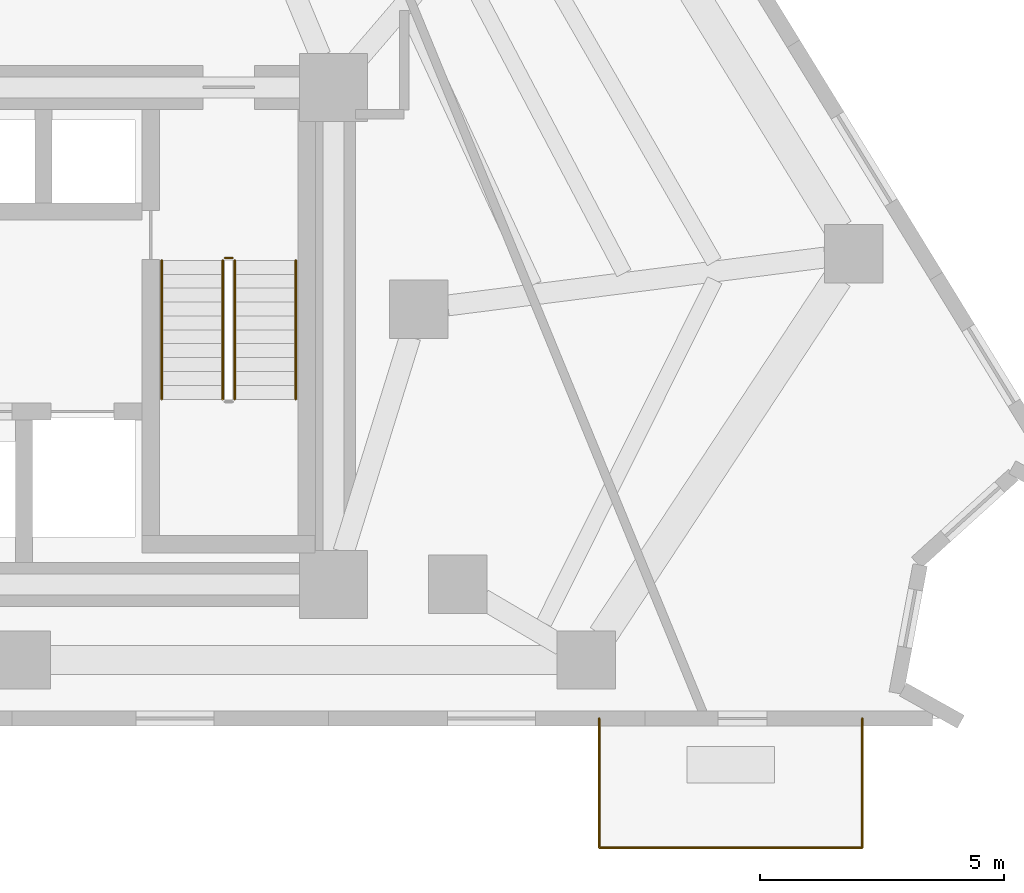
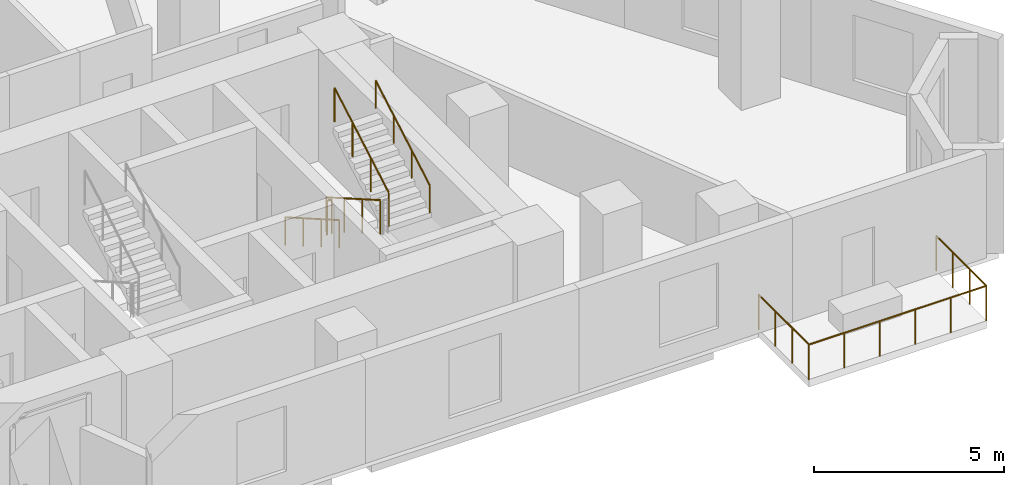
# One storey, part 12 of 13: 6 railings.
"""IFC4 building model written with IfcOpenShell, lengths in metres."""

from ifc_helpers import new_model, si_unit, direction, frame, origin, origin_2d, place, context, subcontext, project, spatial, circle, extrude, material, type_object, element, save


model = new_model("IFC4")

# Units and contexts
model_context = context("Model", 3, precision=1e-05, world=origin(), true_north=direction((0.0, 1.0)))
body_context = subcontext(model_context, "Body", "Model", "MODEL_VIEW")
ifc_project = project(units=[si_unit("LENGTHUNIT", "METRE"), si_unit("AREAUNIT", "SQUARE_METRE"), si_unit("VOLUMEUNIT", "CUBIC_METRE"), si_unit("PLANEANGLEUNIT", "RADIAN"), si_unit("MASSUNIT", "GRAM", prefix="KILO")], contexts=[model_context])

# Site, building, storey
site_placement = place(None, origin())
site = spatial("IfcSite", under=ifc_project, at=site_placement, CompositionType="ELEMENT")
building_placement = place(site_placement, origin())
building = spatial("IfcBuilding", under=site, at=building_placement, Name="Almagre Mirador Tower", CompositionType="ELEMENT")
storey_placement = place(building_placement, frame((0.0, 0.0, 85.800048828125)))
storey = spatial("IfcBuildingStorey", under=building, at=storey_placement, Name="L21", CompositionType="ELEMENT", Elevation=85.800048828125)

# Railings
ifc_material_1 = material(Name="Black anodized aluminium", Category="aluminium")
railing_type_1 = type_object("IfcRailingType", Name="RLG-BAL-1150", PredefinedType="BALUSTRADE", material=ifc_material_1)
railing_1_placement = place(storey_placement, frame((52.5, 1.800048828125, 0.0)))
element("IfcRailing", 1, at=railing_1_placement, inside=storey, type_object=railing_type_1, Name="L21 south balcony balustrade 1", PredefinedType="BALUSTRADE", context=body_context, shape_type="SweptSolid", body=[
    extrude(circle(Radius=0.02392578125, at=origin_2d()), frame((0.0, 0.0, 1.1259765625), z_axis=(0.0, -1.0, 0.0), x_axis=(1.0, 0.0, 0.0)), (0.0, 0.0, 1.0), 2.650146484375),
    extrude(circle(Radius=0.02392578125, at=origin_2d()), frame((0.0, -2.650146484375, 1.1259765625), z_axis=(1.0, 0.0, 0.0), x_axis=(0.0, 1.0, 0.0)), (0.0, 0.0, 1.0), 5.39990234375),
    extrude(circle(Radius=0.02392578125, at=origin_2d()), frame((5.39990234375, -2.650146484375, 1.1259765625), z_axis=(0.0, 1.0, 0.0), x_axis=(-1.0, 0.0, 0.0)), (0.0, 0.0, 1.0), 2.650146484375),
    extrude(circle(Radius=0.02099609375, at=origin_2d()), origin(), (0.0, 0.0, 1.0), 1.101806640625),
    extrude(circle(Radius=0.02099609375, at=origin_2d()), frame((0.0, -0.88330078125, 0.0)), (0.0, 0.0, 1.0), 1.101806640625),
    extrude(circle(Radius=0.02099609375, at=origin_2d()), frame((0.0, -1.766845703125, 0.0)), (0.0, 0.0, 1.0), 1.101806640625),
    extrude(circle(Radius=0.02099609375, at=origin_2d()), frame((0.0, -2.650146484375, 0.0)), (0.0, 0.0, 1.0), 1.101806640625),
    extrude(circle(Radius=0.02099609375, at=origin_2d()), frame((1.080078125, -2.650146484375, 0.0)), (0.0, 0.0, 1.0), 1.101806640625),
    extrude(circle(Radius=0.02099609375, at=origin_2d()), frame((2.159912109375, -2.650146484375, 0.0)), (0.0, 0.0, 1.0), 1.101806640625),
    extrude(circle(Radius=0.02099609375, at=origin_2d()), frame((3.239990234375, -2.650146484375, 0.0)), (0.0, 0.0, 1.0), 1.101806640625),
    extrude(circle(Radius=0.02099609375, at=origin_2d()), frame((4.31982421875, -2.650146484375, 0.0)), (0.0, 0.0, 1.0), 1.101806640625),
    extrude(circle(Radius=0.02099609375, at=origin_2d()), frame((5.39990234375, -2.650146484375, 0.0)), (0.0, 0.0, 1.0), 1.101806640625),
    extrude(circle(Radius=0.02099609375, at=origin_2d()), frame((5.39990234375, -1.766845703125, 0.0)), (0.0, 0.0, 1.0), 1.101806640625),
    extrude(circle(Radius=0.02099609375, at=origin_2d()), frame((5.39990234375, -0.88330078125, 0.0)), (0.0, 0.0, 1.0), 1.101806640625),
    extrude(circle(Radius=0.02099609375, at=origin_2d()), frame((5.39990234375, 0.0, 0.0)), (0.0, 0.0, 1.0), 1.101806640625),
])
ifc_material_2 = material(Name="Painted galvanized steel", Category="steel")
railing_type_2 = type_object("IfcRailingType", Name="RLG-GRD-1100", PredefinedType="GUARDRAIL", material=ifc_material_2)
railing_2_placement = place(storey_placement, frame((44.77490234375, 11.199951171875, 0.16357421875)))
element("IfcRailing", 2, at=railing_2_placement, inside=storey, type_object=railing_type_2, Name="L21 ST-3 stair guard 1", PredefinedType="GUARDRAIL", context=body_context, shape_type="SweptSolid", body=[
    extrude(circle(Radius=0.02392578125, at=origin_2d()), frame((0.0, 0.0, 1.09619140625), z_axis=(0.0, -0.867194282975, 0.497969954491), x_axis=(1.0, 0.0, 0.0)), (0.0, 0.0, 1.0), 3.286376953125),
    extrude(circle(Radius=0.02099609375, at=origin_2d()), origin(), (0.0, 0.0, 1.0), 1.072021484375),
    extrude(circle(Radius=0.02099609375, at=origin_2d()), frame((0.0, -0.949951171875, 0.54541015625)), (0.0, 0.0, 1.0), 1.072021484375),
    extrude(circle(Radius=0.02099609375, at=origin_2d()), frame((0.0, -1.89990234375, 1.091064453125)), (0.0, 0.0, 1.0), 1.072021484375),
    extrude(circle(Radius=0.02099609375, at=origin_2d()), frame((0.0, -2.849853515625, 1.636474609375)), (0.0, 0.0, 1.0), 1.072021484375),
])
railing_3_placement = place(storey_placement, frame((45.02490234375, 8.35009765625, 1.963623046875)))
element("IfcRailing", 3, at=railing_3_placement, inside=storey, type_object=railing_type_2, Name="L21 ST-3 stair guard 3", PredefinedType="GUARDRAIL", context=body_context, shape_type="SweptSolid", body=[
    extrude(circle(Radius=0.02392578125, at=origin_2d()), frame((0.0, 0.0, 1.09619140625), z_axis=(0.0, 0.867226363773, 0.497914082927), x_axis=(-1.0, 0.0, 0.0)), (0.0, 0.0, 1.0), 3.2861328125),
    extrude(circle(Radius=0.02099609375, at=origin_2d()), origin(), (0.0, 0.0, 1.0), 1.072021484375),
    extrude(circle(Radius=0.02099609375, at=origin_2d()), frame((0.0, 0.949951171875, 0.54541015625)), (0.0, 0.0, 1.0), 1.072021484375),
    extrude(circle(Radius=0.02099609375, at=origin_2d()), frame((0.0, 1.89990234375, 1.0908203125)), (0.0, 0.0, 1.0), 1.072021484375),
    extrude(circle(Radius=0.02099609375, at=origin_2d()), frame((0.0, 2.849853515625, 1.63623046875)), (0.0, 0.0, 1.0), 1.072021484375),
])
railing_4_placement = place(storey_placement, frame((44.824951171875, 11.25, 0.0)))
element("IfcRailing", 4, at=railing_4_placement, inside=storey, type_object=railing_type_2, Name="L21 ST-3 stair guard 4", PredefinedType="GUARDRAIL", context=body_context, shape_type="SweptSolid", body=[
    extrude(circle(Radius=0.02392578125, at=origin_2d()), frame((0.0, 0.0, 1.09619140625), z_axis=(1.0, 0.0, 0.0), x_axis=(0.0, 1.0, 0.0)), (0.0, 0.0, 1.0), 0.150146484375),
    extrude(circle(Radius=0.02099609375, at=origin_2d()), origin(), (0.0, 0.0, 1.0), 1.072021484375),
    extrude(circle(Radius=0.02099609375, at=origin_2d()), frame((0.150146484375, 0.0, 0.0)), (0.0, 0.0, 1.0), 1.072021484375),
])
ifc_material_3 = material(Name="Brushed stainless steel", Category="steel")
railing_type_3 = type_object("IfcRailingType", Name="RLG-HND-915", PredefinedType="HANDRAIL", material=ifc_material_3)
railing_5_placement = place(storey_placement, frame((43.52490234375, 11.199951171875, 0.16357421875)))
element("IfcRailing", 5, at=railing_5_placement, inside=storey, type_object=railing_type_3, Name="L21 ST-3 stair handrail 1", PredefinedType="HANDRAIL", context=body_context, shape_type="SweptSolid", body=[
    extrude(circle(Radius=0.02392578125, at=origin_2d()), frame((0.0, 0.0, 0.89111328125), z_axis=(0.0, -0.867194282975, 0.497969954491), x_axis=(1.0, 0.0, 0.0)), (0.0, 0.0, 1.0), 3.286376953125),
    extrude(circle(Radius=0.02099609375, at=origin_2d()), origin(), (0.0, 0.0, 1.0), 0.866943359375),
    extrude(circle(Radius=0.02099609375, at=origin_2d()), frame((0.0, -0.949951171875, 0.54541015625)), (0.0, 0.0, 1.0), 0.866943359375),
    extrude(circle(Radius=0.02099609375, at=origin_2d()), frame((0.0, -1.89990234375, 1.091064453125)), (0.0, 0.0, 1.0), 0.866943359375),
    extrude(circle(Radius=0.02099609375, at=origin_2d()), frame((0.0, -2.849853515625, 1.636474609375)), (0.0, 0.0, 1.0), 0.866943359375),
])
railing_6_placement = place(storey_placement, frame((46.27490234375, 8.35009765625, 1.963623046875)))
element("IfcRailing", 6, at=railing_6_placement, inside=storey, type_object=railing_type_3, Name="L21 ST-3 stair handrail 2", PredefinedType="HANDRAIL", context=body_context, shape_type="SweptSolid", body=[
    extrude(circle(Radius=0.02392578125, at=origin_2d()), frame((0.0, 0.0, 0.89111328125), z_axis=(0.0, 0.867226363773, 0.497914082927), x_axis=(-1.0, 0.0, 0.0)), (0.0, 0.0, 1.0), 3.2861328125),
    extrude(circle(Radius=0.02099609375, at=origin_2d()), origin(), (0.0, 0.0, 1.0), 0.866943359375),
    extrude(circle(Radius=0.02099609375, at=origin_2d()), frame((0.0, 0.949951171875, 0.54541015625)), (0.0, 0.0, 1.0), 0.866943359375),
    extrude(circle(Radius=0.02099609375, at=origin_2d()), frame((0.0, 1.89990234375, 1.0908203125)), (0.0, 0.0, 1.0), 0.866943359375),
    extrude(circle(Radius=0.02099609375, at=origin_2d()), frame((0.0, 2.849853515625, 1.63623046875)), (0.0, 0.0, 1.0), 0.866943359375),
])

save(model, "model.ifc")
